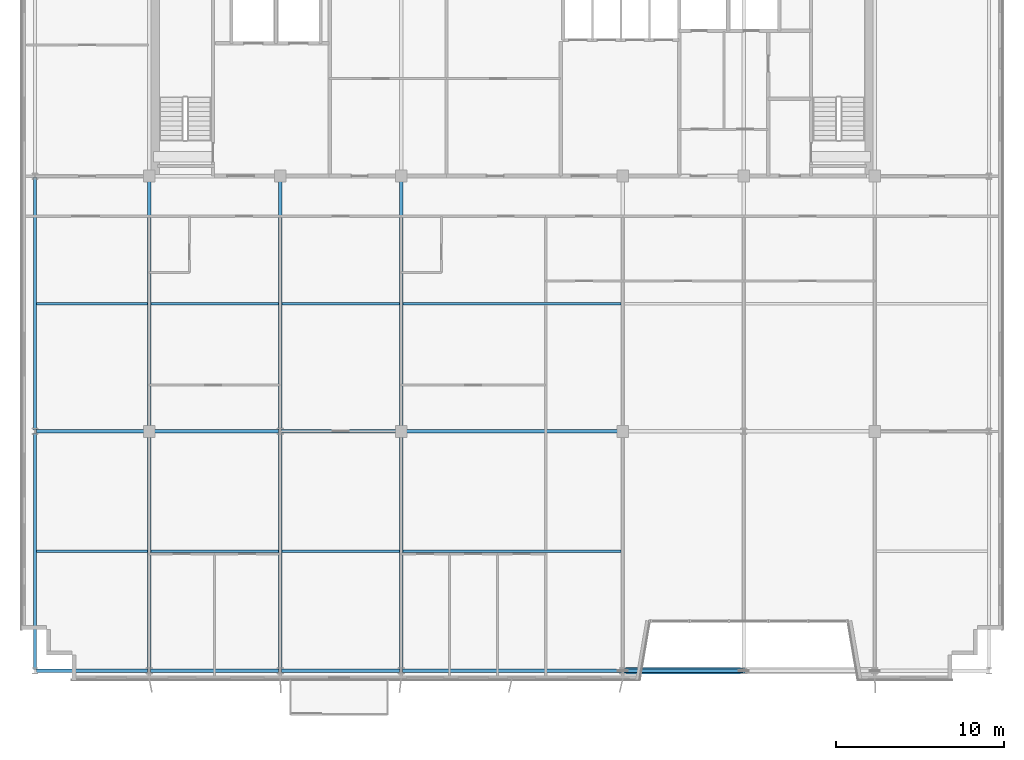
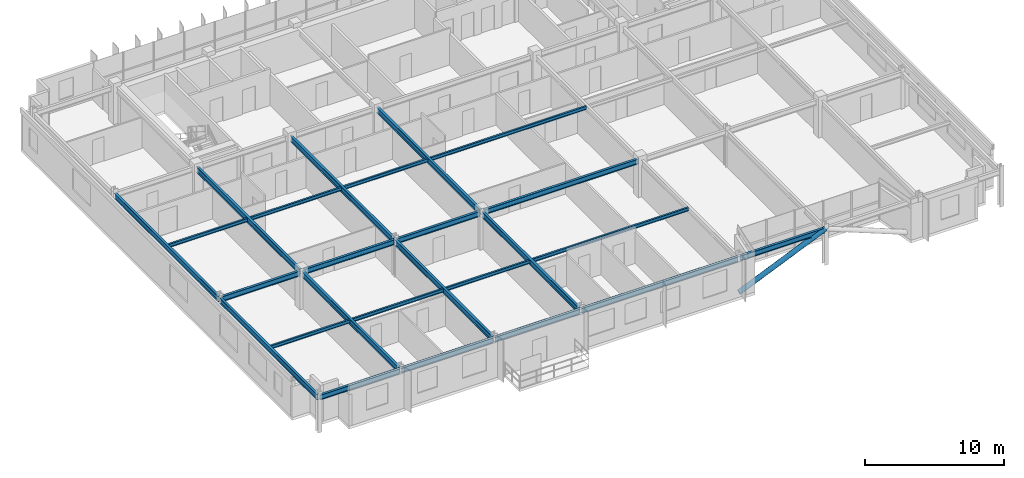
# One storey, part 5 of 27: 25 beams, 1 member.
"""IFC4 building model written with IfcOpenShell, lengths in metres."""

from ifc_helpers import new_model, si_unit, direction, frame, origin, origin_2d, place, context, subcontext, project, spatial, hollow_circle, i_section, extrude, source, transform, mapped, material, material_profile, profile_set, type_object, element, save


model = new_model("IFC4")

# Units and contexts
model_context = context("Model", 3, precision=1e-05, world=origin(), true_north=direction((0.0, 1.0)))
body_context = subcontext(model_context, "Body", "Model", "MODEL_VIEW")
ifc_project = project(units=[si_unit("LENGTHUNIT", "METRE"), si_unit("AREAUNIT", "SQUARE_METRE"), si_unit("VOLUMEUNIT", "CUBIC_METRE"), si_unit("PLANEANGLEUNIT", "RADIAN"), si_unit("MASSUNIT", "GRAM", prefix="KILO")], contexts=[model_context])

# Site, building, storey
site_placement = place(None, origin())
site = spatial("IfcSite", under=ifc_project, at=site_placement, CompositionType="ELEMENT")
building_placement = place(site_placement, origin())
building = spatial("IfcBuilding", under=site, at=building_placement, Name="Trelvane Seafront Commons", CompositionType="ELEMENT")
storey_placement = place(building_placement, frame((0.0, 0.0, 237.300048828125)))
storey = spatial("IfcBuildingStorey", under=building, at=storey_placement, Name="L62", CompositionType="ELEMENT", Elevation=237.300048828125)

# Beams
ifc_material = material(Name="Steel SM355 (S355)", Category="steel")
ifc_material_profile_1 = material_profile(ifc_material, i_section(OverallWidth=0.199951171875, OverallDepth=0.5, WebThickness=0.010009765625, FlangeThickness=0.01611328125, at=origin_2d()), Name="H-500x200x10x16")
ifc_profile_set_1 = profile_set([ifc_material_profile_1], Name="Steel SM355 (S355)")
beam_type_1 = type_object("IfcBeamType", Name="STR-BM-H500", PredefinedType="BEAM", material=ifc_profile_set_1)
shared_shape_1 = source(origin(), body_context, "Body", "SweptSolid", [
    extrude(i_section(OverallWidth=0.199951171875, OverallDepth=0.5, WebThickness=0.010009765625, FlangeThickness=0.01611328125, at=origin_2d()), origin(), (0.0, 0.0, 1.0), 14.89990234375),
])
for number, where, z_axis, x_axis, name in (
    (1, (15.60009765625, 18.35009765625, 2.969970703125), (0.0, 1.0, 0.0), (-1.0, 0.0, 0.0), "L62 Primary Girder G-33"),
    (2, (30.60009765625, 18.35009765625, 2.969970703125), (0.0, 1.0, 0.0), (-1.0, 0.0, 0.0), "L62 Primary Girder G-39"),
):
    element("IfcBeam", number, at=place(storey_placement, frame(where, z_axis=z_axis, x_axis=x_axis)), inside=storey, type_object=beam_type_1, Name=name, PredefinedType="BEAM", context=body_context, shape_type="MappedRepresentation", body=[
        mapped(shared_shape_1, transform((0.0, 0.0, 0.0), x_axis=(1.0, 0.0, 0.0), y_axis=(0.0, 1.0, 0.0), z_axis=(0.0, 0.0, 1.0), scale=1.0)),
    ])
ifc_material_profile_2 = material_profile(ifc_material, i_section(OverallWidth=0.199951171875, OverallDepth=0.449951171875, WebThickness=0.009033203125, FlangeThickness=0.013916015625, at=origin_2d()), Name="H-450x200x9x14")
ifc_profile_set_2 = profile_set([ifc_material_profile_2], Name="Steel SM355 (S355)")
beam_type_2 = type_object("IfcBeamType", Name="STR-SPD-H450", PredefinedType="SPANDREL", material=ifc_profile_set_2)
shared_shape_2 = source(origin(), body_context, "Body", "SweptSolid", [
    extrude(i_section(OverallWidth=0.199951171875, OverallDepth=0.449951171875, WebThickness=0.009033203125, FlangeThickness=0.013916015625, at=origin_2d()), origin(), (0.0, 0.0, 1.0), 6.625),
])
beam_1_placement = place(storey_placement, frame((8.887451171875, 3.949951171875, 2.994873046875), z_axis=(1.0, 0.0, 0.0), x_axis=(0.0, 1.0, 0.0)))
element("IfcBeam", 3, at=beam_1_placement, inside=storey, type_object=beam_type_2, Name="L62 Primary Girder G-01", PredefinedType="SPANDREL", context=body_context, shape_type="MappedRepresentation", body=[
    mapped(shared_shape_2, transform((0.0, 0.0, 0.0), x_axis=(1.0, 0.0, 0.0), y_axis=(0.0, 1.0, 0.0), z_axis=(0.0, 0.0, 1.0), scale=1.0)),
])
shared_shape_3 = source(origin(), body_context, "Body", "SweptSolid", [
    extrude(i_section(OverallWidth=0.199951171875, OverallDepth=0.449951171875, WebThickness=0.009033203125, FlangeThickness=0.013916015625, at=origin_2d()), origin(), (0.0, 0.0, 1.0), 7.625),
])
beam_2_placement = place(storey_placement, frame((15.6875, 3.949951171875, 2.994873046875), z_axis=(1.0, 0.0, 0.0), x_axis=(0.0, 1.0, 0.0)))
element("IfcBeam", 4, at=beam_2_placement, inside=storey, type_object=beam_type_2, Name="L62 Primary Girder G-02", PredefinedType="SPANDREL", context=body_context, shape_type="MappedRepresentation", body=[
    mapped(shared_shape_3, transform((0.0, 0.0, 0.0), x_axis=(1.0, 0.0, 0.0), y_axis=(0.0, 1.0, 0.0), z_axis=(0.0, 0.0, 1.0), scale=1.0)),
])
shared_shape_4 = source(origin(), body_context, "Body", "SweptSolid", [
    extrude(i_section(OverallWidth=0.199951171875, OverallDepth=0.449951171875, WebThickness=0.009033203125, FlangeThickness=0.013916015625, at=origin_2d()), origin(), (0.0, 0.0, 1.0), 7.02490234375),
])
beam_3_placement = place(storey_placement, frame((23.487548828125, 3.949951171875, 2.994873046875), z_axis=(1.0, 0.0, 0.0), x_axis=(0.0, 1.0, 0.0)))
element("IfcBeam", 5, at=beam_3_placement, inside=storey, type_object=beam_type_2, Name="L62 Primary Girder G-03", PredefinedType="SPANDREL", context=body_context, shape_type="MappedRepresentation", body=[
    mapped(shared_shape_4, transform((0.0, 0.0, 0.0), x_axis=(1.0, 0.0, 0.0), y_axis=(0.0, 1.0, 0.0), z_axis=(0.0, 0.0, 1.0), scale=1.0)),
])
shared_shape_5 = source(origin(), body_context, "Body", "SweptSolid", [
    extrude(i_section(OverallWidth=0.199951171875, OverallDepth=0.449951171875, WebThickness=0.009033203125, FlangeThickness=0.013916015625, at=origin_2d()), origin(), (0.0, 0.0, 1.0), 7.025146484375),
])
beam_4_placement = place(storey_placement, frame((43.887451171875, 3.949951171875, 2.994873046875), z_axis=(1.0, 0.0, 0.0), x_axis=(0.0, 1.0, 0.0)))
element("IfcBeam", 6, at=beam_4_placement, inside=storey, type_object=beam_type_2, Name="L62 Primary Girder G-05", PredefinedType="SPANDREL", context=body_context, shape_type="MappedRepresentation", body=[
    mapped(shared_shape_5, transform((0.0, 0.0, 0.0), x_axis=(1.0, 0.0, 0.0), y_axis=(0.0, 1.0, 0.0), z_axis=(0.0, 0.0, 1.0), scale=1.0)),
])
shared_shape_6 = source(origin(), body_context, "Body", "SweptSolid", [
    extrude(i_section(OverallWidth=0.199951171875, OverallDepth=0.449951171875, WebThickness=0.009033203125, FlangeThickness=0.013916015625, at=origin_2d()), origin(), (0.0, 0.0, 1.0), 6.5625),
])
beam_5_placement = place(storey_placement, frame((8.887451171875, 18.199951171875, 2.994873046875), z_axis=(1.0, 0.0, 0.0), x_axis=(0.0, 1.0, 0.0)))
element("IfcBeam", 7, at=beam_5_placement, inside=storey, type_object=beam_type_2, Name="L62 Primary Girder G-08", PredefinedType="SPANDREL", context=body_context, shape_type="MappedRepresentation", body=[
    mapped(shared_shape_6, transform((0.0, 0.0, 0.0), x_axis=(1.0, 0.0, 0.0), y_axis=(0.0, 1.0, 0.0), z_axis=(0.0, 0.0, 1.0), scale=1.0)),
])
shared_shape_7 = source(origin(), body_context, "Body", "SweptSolid", [
    extrude(i_section(OverallWidth=0.199951171875, OverallDepth=0.449951171875, WebThickness=0.009033203125, FlangeThickness=0.013916015625, at=origin_2d()), origin(), (0.0, 0.0, 1.0), 7.5625),
])
beam_6_placement = place(storey_placement, frame((15.75, 18.199951171875, 2.994873046875), z_axis=(1.0, 0.0, 0.0), x_axis=(0.0, 1.0, 0.0)))
element("IfcBeam", 8, at=beam_6_placement, inside=storey, type_object=beam_type_2, Name="L62 Primary Girder G-09", PredefinedType="SPANDREL", context=body_context, shape_type="MappedRepresentation", body=[
    mapped(shared_shape_7, transform((0.0, 0.0, 0.0), x_axis=(1.0, 0.0, 0.0), y_axis=(0.0, 1.0, 0.0), z_axis=(0.0, 0.0, 1.0), scale=1.0)),
])
shared_shape_8 = source(origin(), body_context, "Body", "SweptSolid", [
    extrude(i_section(OverallWidth=0.199951171875, OverallDepth=0.449951171875, WebThickness=0.009033203125, FlangeThickness=0.013916015625, at=origin_2d()), origin(), (0.0, 0.0, 1.0), 6.96240234375),
])
beam_7_placement = place(storey_placement, frame((23.487548828125, 18.199951171875, 2.994873046875), z_axis=(1.0, 0.0, 0.0), x_axis=(0.0, 1.0, 0.0)))
element("IfcBeam", 9, at=beam_7_placement, inside=storey, type_object=beam_type_2, Name="L62 Primary Girder G-10", PredefinedType="SPANDREL", context=body_context, shape_type="MappedRepresentation", body=[
    mapped(shared_shape_8, transform((0.0, 0.0, 0.0), x_axis=(1.0, 0.0, 0.0), y_axis=(0.0, 1.0, 0.0), z_axis=(0.0, 0.0, 1.0), scale=1.0)),
])
shared_shape_9 = source(origin(), body_context, "Body", "SweptSolid", [
    extrude(i_section(OverallWidth=0.199951171875, OverallDepth=0.449951171875, WebThickness=0.009033203125, FlangeThickness=0.013916015625, at=origin_2d()), origin(), (0.0, 0.0, 1.0), 12.89990234375),
])
beam_8_placement = place(storey_placement, frame((30.75, 18.199951171875, 2.994873046875), z_axis=(1.0, 0.0, 0.0), x_axis=(0.0, 1.0, 0.0)))
element("IfcBeam", 10, at=beam_8_placement, inside=storey, type_object=beam_type_2, Name="L62 Primary Girder G-11", PredefinedType="SPANDREL", context=body_context, shape_type="MappedRepresentation", body=[
    mapped(shared_shape_9, transform((0.0, 0.0, 0.0), x_axis=(1.0, 0.0, 0.0), y_axis=(0.0, 1.0, 0.0), z_axis=(0.0, 0.0, 1.0), scale=1.0)),
])
shared_shape_10 = source(origin(), body_context, "Body", "SweptSolid", [
    extrude(i_section(OverallWidth=0.199951171875, OverallDepth=0.5, WebThickness=0.010009765625, FlangeThickness=0.01611328125, at=origin_2d()), origin(), (0.0, 0.0, 1.0), 14.074951171875),
])
for number, where, z_axis, x_axis, name in (
    (11, (8.800048828125, 4.03759765625, 2.969970703125), (0.0, 1.0, 0.0), (-1.0, 0.0, 0.0), "L62 Primary Girder G-29"),
    (12, (23.39990234375, 4.03759765625, 2.969970703125), (0.0, 1.0, 0.0), (-1.0, 0.0, 0.0), "L62 Primary Girder G-35"),
):
    element("IfcBeam", number, at=place(storey_placement, frame(where, z_axis=z_axis, x_axis=x_axis)), inside=storey, type_object=beam_type_1, Name=name, PredefinedType="BEAM", context=body_context, shape_type="MappedRepresentation", body=[
        mapped(shared_shape_10, transform((0.0, 0.0, 0.0), x_axis=(1.0, 0.0, 0.0), y_axis=(0.0, 1.0, 0.0), z_axis=(0.0, 0.0, 1.0), scale=1.0)),
    ])
shared_shape_11 = source(origin(), body_context, "Body", "SweptSolid", [
    extrude(i_section(OverallWidth=0.199951171875, OverallDepth=0.5, WebThickness=0.010009765625, FlangeThickness=0.01611328125, at=origin_2d()), origin(), (0.0, 0.0, 1.0), 15.02490234375),
])
beam_9_placement = place(storey_placement, frame((8.800048828125, 18.28759765625, 2.969970703125), z_axis=(0.0, 1.0, 0.0), x_axis=(-1.0, 0.0, 0.0)))
element("IfcBeam", 13, at=beam_9_placement, inside=storey, type_object=beam_type_1, Name="L62 Primary Girder G-30", PredefinedType="BEAM", context=body_context, shape_type="MappedRepresentation", body=[
    mapped(shared_shape_11, transform((0.0, 0.0, 0.0), x_axis=(1.0, 0.0, 0.0), y_axis=(0.0, 1.0, 0.0), z_axis=(0.0, 0.0, 1.0), scale=1.0)),
])
shared_shape_12 = source(origin(), body_context, "Body", "SweptSolid", [
    extrude(i_section(OverallWidth=0.199951171875, OverallDepth=0.5, WebThickness=0.010009765625, FlangeThickness=0.01611328125, at=origin_2d()), origin(), (0.0, 0.0, 1.0), 14.012451171875),
])
for number, where, z_axis, x_axis, name in (
    (14, (15.60009765625, 4.03759765625, 2.969970703125), (0.0, 1.0, 0.0), (-1.0, 0.0, 0.0), "L62 Primary Girder G-32"),
    (15, (30.60009765625, 4.03759765625, 2.969970703125), (0.0, 1.0, 0.0), (-1.0, 0.0, 0.0), "L62 Primary Girder G-38"),
):
    element("IfcBeam", number, at=place(storey_placement, frame(where, z_axis=z_axis, x_axis=x_axis)), inside=storey, type_object=beam_type_1, Name=name, PredefinedType="BEAM", context=body_context, shape_type="MappedRepresentation", body=[
        mapped(shared_shape_12, transform((0.0, 0.0, 0.0), x_axis=(1.0, 0.0, 0.0), y_axis=(0.0, 1.0, 0.0), z_axis=(0.0, 0.0, 1.0), scale=1.0)),
    ])
shared_shape_13 = source(origin(), body_context, "Body", "SweptSolid", [
    extrude(i_section(OverallWidth=0.199951171875, OverallDepth=0.5, WebThickness=0.010009765625, FlangeThickness=0.01611328125, at=origin_2d()), origin(), (0.0, 0.0, 1.0), 14.96240234375),
])
beam_10_placement = place(storey_placement, frame((23.39990234375, 18.28759765625, 2.969970703125), z_axis=(0.0, 1.0, 0.0), x_axis=(-1.0, 0.0, 0.0)))
element("IfcBeam", 16, at=beam_10_placement, inside=storey, type_object=beam_type_1, Name="L62 Primary Girder G-36", PredefinedType="BEAM", context=body_context, shape_type="MappedRepresentation", body=[
    mapped(shared_shape_13, transform((0.0, 0.0, 0.0), x_axis=(1.0, 0.0, 0.0), y_axis=(0.0, 1.0, 0.0), z_axis=(0.0, 0.0, 1.0), scale=1.0)),
])
ifc_material_profile_3 = material_profile(ifc_material, i_section(OverallWidth=0.14990234375, OverallDepth=0.300048828125, WebThickness=0.006591796875, FlangeThickness=0.009033203125, at=origin_2d()), Name="H-300x150x6.5x9")
ifc_profile_set_3 = profile_set([ifc_material_profile_3], Name="Steel SM355 (S355)")
beam_type_3 = type_object("IfcBeamType", Name="STR-JST-H300", PredefinedType="JOIST", material=ifc_profile_set_3)
shared_shape_14 = source(origin(), body_context, "Body", "SweptSolid", [
    extrude(i_section(OverallWidth=0.14990234375, OverallDepth=0.300048828125, WebThickness=0.006591796875, FlangeThickness=0.009033203125, at=origin_2d()), origin(), (0.0, 0.0, 1.0), 6.60009765625),
])
for number, where, z_axis, x_axis, name in (
    (17, (8.89990234375, 11.074951171875, 3.070068359375), (1.0, 0.0, 0.0), (0.0, 1.0, 0.0), "L62 Secondary Floor Joist B-53"),
    (18, (8.89990234375, 25.800048828125, 3.070068359375), (1.0, 0.0, 0.0), (0.0, 1.0, 0.0), "L62 Secondary Floor Joist B-58"),
):
    element("IfcBeam", number, at=place(storey_placement, frame(where, z_axis=z_axis, x_axis=x_axis)), inside=storey, type_object=beam_type_3, Name=name, PredefinedType="JOIST", context=body_context, shape_type="MappedRepresentation", body=[
        mapped(shared_shape_14, transform((0.0, 0.0, 0.0), x_axis=(1.0, 0.0, 0.0), y_axis=(0.0, 1.0, 0.0), z_axis=(0.0, 0.0, 1.0), scale=1.0)),
    ])
shared_shape_15 = source(origin(), body_context, "Body", "SweptSolid", [
    extrude(i_section(OverallWidth=0.14990234375, OverallDepth=0.300048828125, WebThickness=0.006591796875, FlangeThickness=0.009033203125, at=origin_2d()), origin(), (0.0, 0.0, 1.0), 7.60009765625),
])
for number, where, z_axis, x_axis, name in (
    (19, (15.699951171875, 11.074951171875, 3.070068359375), (1.0, 0.0, 0.0), (0.0, 1.0, 0.0), "L62 Secondary Floor Joist B-54"),
    (20, (15.699951171875, 25.800048828125, 3.070068359375), (1.0, 0.0, 0.0), (0.0, 1.0, 0.0), "L62 Secondary Floor Joist B-59"),
):
    element("IfcBeam", number, at=place(storey_placement, frame(where, z_axis=z_axis, x_axis=x_axis)), inside=storey, type_object=beam_type_3, Name=name, PredefinedType="JOIST", context=body_context, shape_type="MappedRepresentation", body=[
        mapped(shared_shape_15, transform((0.0, 0.0, 0.0), x_axis=(1.0, 0.0, 0.0), y_axis=(0.0, 1.0, 0.0), z_axis=(0.0, 0.0, 1.0), scale=1.0)),
    ])
shared_shape_16 = source(origin(), body_context, "Body", "SweptSolid", [
    extrude(i_section(OverallWidth=0.14990234375, OverallDepth=0.300048828125, WebThickness=0.006591796875, FlangeThickness=0.009033203125, at=origin_2d()), origin(), (0.0, 0.0, 1.0), 7.0),
])
for number, where, z_axis, x_axis, name in (
    (21, (23.5, 11.074951171875, 3.070068359375), (1.0, 0.0, 0.0), (0.0, 1.0, 0.0), "L62 Secondary Floor Joist B-55"),
    (22, (23.5, 25.800048828125, 3.070068359375), (1.0, 0.0, 0.0), (0.0, 1.0, 0.0), "L62 Secondary Floor Joist B-60"),
):
    element("IfcBeam", number, at=place(storey_placement, frame(where, z_axis=z_axis, x_axis=x_axis)), inside=storey, type_object=beam_type_3, Name=name, PredefinedType="JOIST", context=body_context, shape_type="MappedRepresentation", body=[
        mapped(shared_shape_16, transform((0.0, 0.0, 0.0), x_axis=(1.0, 0.0, 0.0), y_axis=(0.0, 1.0, 0.0), z_axis=(0.0, 0.0, 1.0), scale=1.0)),
    ])
shared_shape_17 = source(origin(), body_context, "Body", "SweptSolid", [
    extrude(i_section(OverallWidth=0.14990234375, OverallDepth=0.300048828125, WebThickness=0.006591796875, FlangeThickness=0.009033203125, at=origin_2d()), origin(), (0.0, 0.0, 1.0), 13.0),
])
for number, where, z_axis, x_axis, name in (
    (23, (30.699951171875, 11.074951171875, 3.070068359375), (1.0, 0.0, 0.0), (0.0, 1.0, 0.0), "L62 Secondary Floor Joist B-56"),
    (24, (30.699951171875, 25.800048828125, 3.070068359375), (1.0, 0.0, 0.0), (0.0, 1.0, 0.0), "L62 Secondary Floor Joist B-61"),
):
    element("IfcBeam", number, at=place(storey_placement, frame(where, z_axis=z_axis, x_axis=x_axis)), inside=storey, type_object=beam_type_3, Name=name, PredefinedType="JOIST", context=body_context, shape_type="MappedRepresentation", body=[
        mapped(shared_shape_17, transform((0.0, 0.0, 0.0), x_axis=(1.0, 0.0, 0.0), y_axis=(0.0, 1.0, 0.0), z_axis=(0.0, 0.0, 1.0), scale=1.0)),
    ])
shared_shape_18 = source(origin(), body_context, "Body", "SweptSolid", [
    extrude(i_section(OverallWidth=0.199951171875, OverallDepth=0.449951171875, WebThickness=0.009033203125, FlangeThickness=0.013916015625, at=origin_2d()), origin(), (0.0, 0.0, 1.0), 13.02490234375),
])
beam_11_placement = place(storey_placement, frame((30.6875, 3.949951171875, 2.994873046875), z_axis=(1.0, 0.0, 0.0), x_axis=(0.0, 1.0, 0.0)))
element("IfcBeam", 25, at=beam_11_placement, inside=storey, type_object=beam_type_2, Name="L62 Primary Girder G-04", PredefinedType="SPANDREL", context=body_context, shape_type="MappedRepresentation", body=[
    mapped(shared_shape_18, transform((0.0, 0.0, 0.0), x_axis=(1.0, 0.0, 0.0), y_axis=(0.0, 1.0, 0.0), z_axis=(0.0, 0.0, 1.0), scale=1.0)),
])

# Member
ifc_material_profile_4 = material_profile(ifc_material, hollow_circle(Radius=0.203125, WallThickness=0.01611328125, at=origin_2d()), Name="CHS-406.4x16")
ifc_profile_set_4 = profile_set([ifc_material_profile_4], Name="Steel SM355 (S355)")
member_type = type_object("IfcMemberType", Name="STR-STR-CHS406", PredefinedType="STRUT", material=ifc_profile_set_4)
shared_shape_19 = source(origin(), body_context, "Body", "SweptSolid", [
    extrude(hollow_circle(Radius=0.203125, WallThickness=0.01611328125, at=origin_2d()), origin(), (0.0, 0.0, 1.0), 7.8388671875),
])
member_placement = place(storey_placement, frame((43.800048828125, 3.949951171875, 0.0), z_axis=(0.918489723422, 0.0, 0.395444848201), x_axis=(0.0, 1.0, 0.0)))
element("IfcMember", 26, at=member_placement, inside=storey, type_object=member_type, Name="L62 Sky-Garden V-Chevron Brace SGV-W", PredefinedType="STRUT", context=body_context, shape_type="MappedRepresentation", body=[
    mapped(shared_shape_19, transform((0.0, 0.0, 0.0), x_axis=(1.0, 0.0, 0.0), y_axis=(0.0, 1.0, 0.0), z_axis=(0.0, 0.0, 1.0), scale=1.0)),
])

save(model, "model.ifc")
